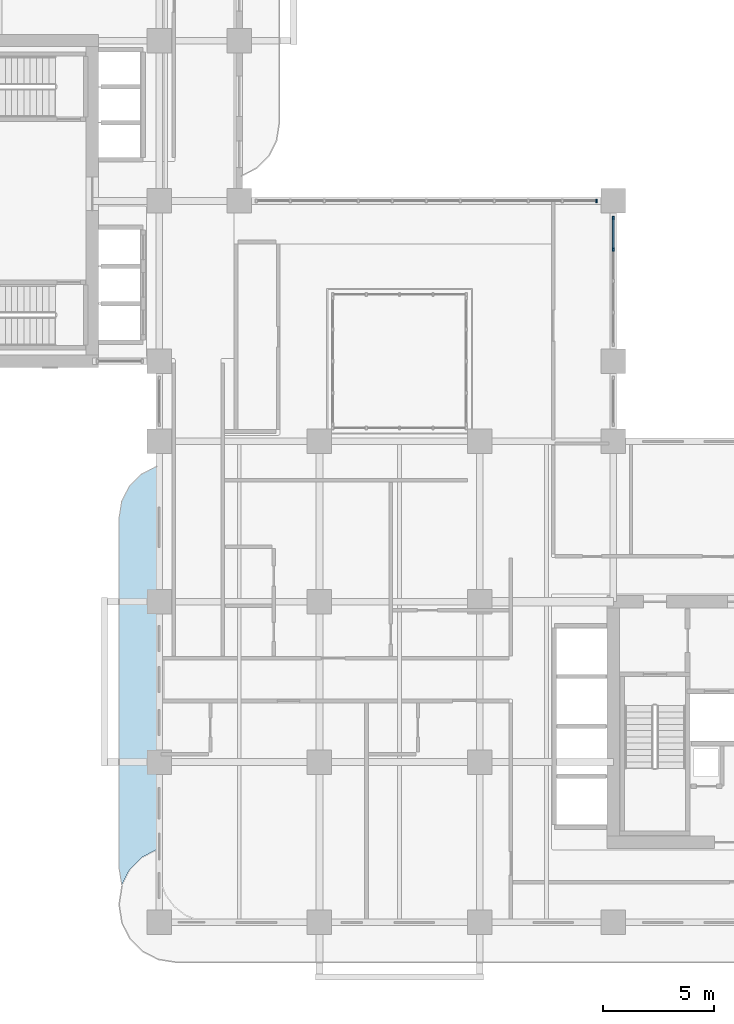
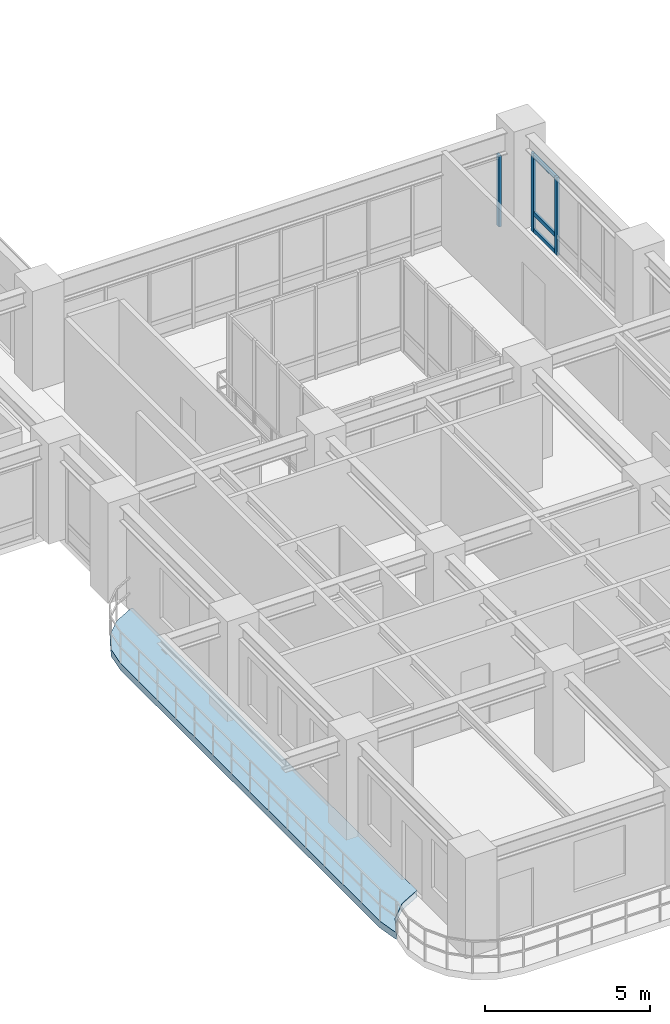
# One storey, part 8 of 22: 6 members, 1 slab, 2 elements without a shape of their own.
"""IFC4 building model written with IfcOpenShell, lengths in metres."""

from ifc_helpers import new_model, si_unit, derived_unit, direction, frame, origin, origin_2d, place, context, subcontext, project, spatial, polyline, rectangle, outline, extrude, source, transform, mapped, material, layer, layer_set, material_profile, profile_set, type_object, element, aggregate, save


model = new_model("IFC4")

# Units and contexts
model_context = context("Model", 3, precision=1e-05, world=origin(), true_north=direction((0.0, 1.0)))
body_context = subcontext(model_context, "Body", "Model", "MODEL_VIEW")
ifc_project = project(units=[si_unit("LENGTHUNIT", "METRE"), si_unit("AREAUNIT", "SQUARE_METRE"), si_unit("VOLUMEUNIT", "CUBIC_METRE"), si_unit("PLANEANGLEUNIT", "RADIAN"), si_unit("MASSUNIT", "GRAM", prefix="KILO"), si_unit("THERMODYNAMICTEMPERATUREUNIT", "KELVIN"), si_unit("POWERUNIT", "WATT"), derived_unit("THERMALTRANSMITTANCEUNIT", [(si_unit("POWERUNIT", "WATT"), 1), (si_unit("AREAUNIT", "SQUARE_METRE"), -1), (si_unit("THERMODYNAMICTEMPERATUREUNIT", "KELVIN"), -1)])], contexts=[model_context])

# Site, building, storey
site_placement = place(None, origin())
site = spatial("IfcSite", under=ifc_project, at=site_placement, CompositionType="ELEMENT")
building_placement = place(site_placement, origin())
building = spatial("IfcBuilding", under=site, at=building_placement, Name="Zahravan Archway Hotel and Residences", CompositionType="ELEMENT")
storey_placement = place(building_placement, frame((0.0, 0.0, 87.89990234375)))
storey = spatial("IfcBuildingStorey", under=building, at=storey_placement, Name="L21", CompositionType="ELEMENT", Elevation=87.89990234375)

# Curtain wall, members
ifc_material_1 = material(Name="Bronze-Anodized Unitised Aluminium & Low-E Glass", Category="aluminium")
ifc_layer_1 = layer(ifc_material_1, 0.179931640625, Name="Bronze-Anodized Unitised Aluminium & Low-E Glass", Category="aluminium")
ifc_layer_set_1 = layer_set([ifc_layer_1], Name="Bronze-Anodized Unitised Aluminium & Low-E Glass")
curtain_wall_type = type_object("IfcCurtainWallType", Name="CW-ATR-GLAZ", PredefinedType="NOTDEFINED", material=ifc_layer_set_1)
curtain_wall_1_placement = place(storey_placement, origin())
curtain_wall_1 = element("IfcCurtainWall", 1, at=curtain_wall_1_placement, inside=storey, type_object=curtain_wall_type, Name="L21 Curtain Wall CW-L21-HNG-E-2", PredefinedType="NOTDEFINED")
ifc_material_2 = material(Name="Bronze-Anodized Extruded Aluminium", Category="aluminium")
ifc_material_profile_1 = material_profile(ifc_material_2, rectangle(XDim=0.080078125, YDim=0.139892578125, at=origin_2d()), Name="TRN 80x140", Category="aluminium")
ifc_profile_set_1 = profile_set([ifc_material_profile_1], Name="Bronze-Anodized Extruded Aluminium")
member_type_1 = type_object("IfcMemberType", Name="CWM-TRN-140", PredefinedType="USERDEFINED", material=ifc_profile_set_1)
shared_shape_1 = source(origin(), body_context, "Body", "SweptSolid", [
    extrude(rectangle(XDim=0.080078125, YDim=0.139892578125, at=origin_2d()), origin(), (0.0, 0.0, 1.0), 1.340087890625),
])
member_1_placement = place(storey_placement, frame((34.800048828125, 30.260009765625, 0.070068359375), z_axis=(0.0, 1.0, 0.0), x_axis=(-1.0, 0.0, 0.0)))
member_1 = element("IfcMember", 2, at=member_1_placement, type_object=member_type_1, Name="CW-L21-HNG-E-2 Transom 3-1", ObjectType="TRANSOM", PredefinedType="USERDEFINED", context=body_context, shape_type="MappedRepresentation", body=[
    mapped(shared_shape_1, transform((0.0, 0.0, 0.0), scale=1.0)),
])
member_2_placement = place(storey_placement, frame((34.800048828125, 30.260009765625, 0.6923828125), z_axis=(0.0, 1.0, 0.0), x_axis=(-1.0, 0.0, 0.0)))
member_2 = element("IfcMember", 3, at=member_2_placement, type_object=member_type_1, Name="CW-L21-HNG-E-2 Transom 3-2", ObjectType="TRANSOM", PredefinedType="USERDEFINED", context=body_context, shape_type="MappedRepresentation", body=[
    mapped(shared_shape_1, transform((0.0, 0.0, 0.0), scale=1.0)),
])
member_3_placement = place(storey_placement, frame((34.800048828125, 30.260009765625, 2.815185546875), z_axis=(0.0, 1.0, 0.0), x_axis=(-1.0, 0.0, 0.0)))
member_3 = element("IfcMember", 4, at=member_3_placement, type_object=member_type_1, Name="CW-L21-HNG-E-2 Transom 3-3", ObjectType="TRANSOM", PredefinedType="USERDEFINED", context=body_context, shape_type="MappedRepresentation", body=[
    mapped(shared_shape_1, transform((0.0, 0.0, 0.0), scale=1.0)),
])
ifc_material_profile_2 = material_profile(ifc_material_2, rectangle(XDim=0.080078125, YDim=0.159912109375, at=origin_2d()), Name="MUL 80x160", Category="aluminium")
ifc_profile_set_2 = profile_set([ifc_material_profile_2], Name="Bronze-Anodized Extruded Aluminium")
member_type_2 = type_object("IfcMemberType", Name="CWM-MUL-160", PredefinedType="MULLION", material=ifc_profile_set_2)
shared_shape_2 = source(origin(), body_context, "Body", "SweptSolid", [
    extrude(rectangle(XDim=0.080078125, YDim=0.159912109375, at=origin_2d()), origin(), (0.0, 0.0, 1.0), 2.885009765625),
])
member_4_placement = place(storey_placement, frame((34.800048828125, 30.219970703125, 0.0), z_axis=(0.0, 0.0, 1.0), x_axis=(1.0, 0.0, 0.0)))
member_4 = element("IfcMember", 5, at=member_4_placement, type_object=member_type_2, Name="CW-L21-HNG-E-2 Mullion 3", PredefinedType="MULLION", context=body_context, shape_type="MappedRepresentation", body=[
    mapped(shared_shape_2, transform((0.0, 0.0, 0.0), scale=1.0)),
])
member_5_placement = place(storey_placement, frame((34.800048828125, 31.639892578125, 0.0), z_axis=(0.0, 0.0, 1.0), x_axis=(1.0, 0.0, 0.0)))
member_5 = element("IfcMember", 6, at=member_5_placement, type_object=member_type_2, Name="CW-L21-HNG-E-2 Mullion 4", PredefinedType="MULLION", context=body_context, shape_type="MappedRepresentation", body=[
    mapped(shared_shape_2, transform((0.0, 0.0, 0.0), scale=1.0)),
])
aggregate(curtain_wall_1, [member_4, member_5, member_1, member_2, member_3])

# Curtain wall, member
curtain_wall_2_placement = place(storey_placement, origin())
curtain_wall_2 = element("IfcCurtainWall", 7, at=curtain_wall_2_placement, inside=storey, type_object=curtain_wall_type, Name="L21 Curtain Wall CW-L21-HNG-N-1", PredefinedType="NOTDEFINED")
shared_shape_3 = source(origin(), body_context, "Body", "SweptSolid", [
    extrude(rectangle(XDim=0.080078125, YDim=0.159912109375, at=origin_2d()), origin(), (0.0, 0.0, 1.0), 2.635009765625),
])
member_6_placement = place(storey_placement, frame((34.0400390625, 32.39990234375, 0.0), z_axis=(0.0, 0.0, 1.0), x_axis=(1.0, 0.0, 0.0)))
member_6 = element("IfcMember", 8, at=member_6_placement, type_object=member_type_2, Name="CW-L21-HNG-N-1 Mullion 10", PredefinedType="MULLION", context=body_context, shape_type="MappedRepresentation", body=[
    mapped(shared_shape_3, transform((0.0, 0.0, 0.0), scale=1.0)),
])
aggregate(curtain_wall_2, [member_6])

# Slab
ifc_material_3 = material(Name="Concrete C45/55", Category="concrete")
ifc_layer_2 = layer(ifc_material_3, 0.25, Name="Concrete C45/55", Category="concrete")
ifc_layer_set_2 = layer_set([ifc_layer_2], Name="Concrete C45/55")
slab_type = type_object("IfcSlabType", Name="SLB-BALC-250", PredefinedType="FLOOR", material=ifc_layer_set_2)
slab_placement = place(storey_placement, frame((0.0, 0.0, -0.25)))
element("IfcSlab", 9, at=slab_placement, inside=storey, type_object=slab_type, Name="L21 Wing A West Rounded Balcony Band", PredefinedType="FLOOR", context=body_context, shape_type="SweptSolid", body=[
    extrude(outline(polyline([(12.719970703125, 1.69287109375), (12.60009765625, 2.449951171875), (12.60009765625, 18.14990234375), (12.719970703125, 18.906982421875), (13.06787109375, 19.590087890625), (13.60986328125, 20.132080078125), (14.29296875, 20.47998046875), (14.3798828125, 20.493896484375), (14.3798828125, 3.298095703125), (14.37890625, 3.298095703125), (14.376953125, 3.2978515625), (14.35888671875, 3.294921875), (14.356689453125, 3.29443359375), (14.354736328125, 3.2939453125), (14.352783203125, 3.29296875), (13.64208984375, 2.930908203125), (13.64013671875, 2.9296875), (13.638427734375, 2.928466796875), (13.636962890625, 2.927001953125), (13.072998046875, 2.363037109375), (13.071533203125, 2.361572265625), (13.0703125, 2.35986328125), (13.069091796875, 2.35791015625), (12.72509765625, 1.6826171875), (12.719970703125, 1.69287109375)])), origin(), (0.0, 0.0, 1.0), 0.25),
])

save(model, "model.ifc")
